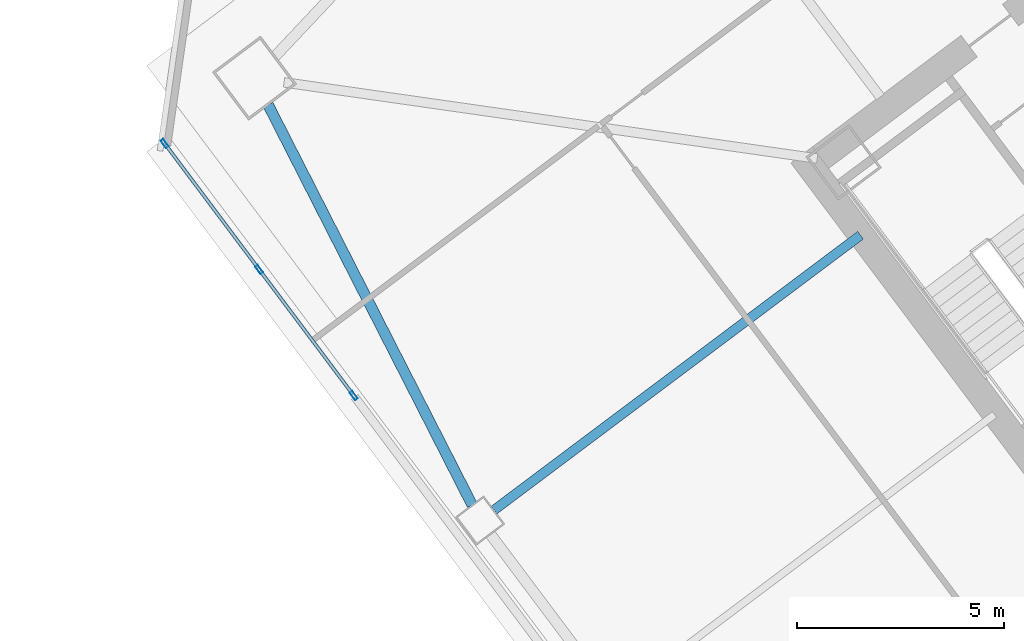
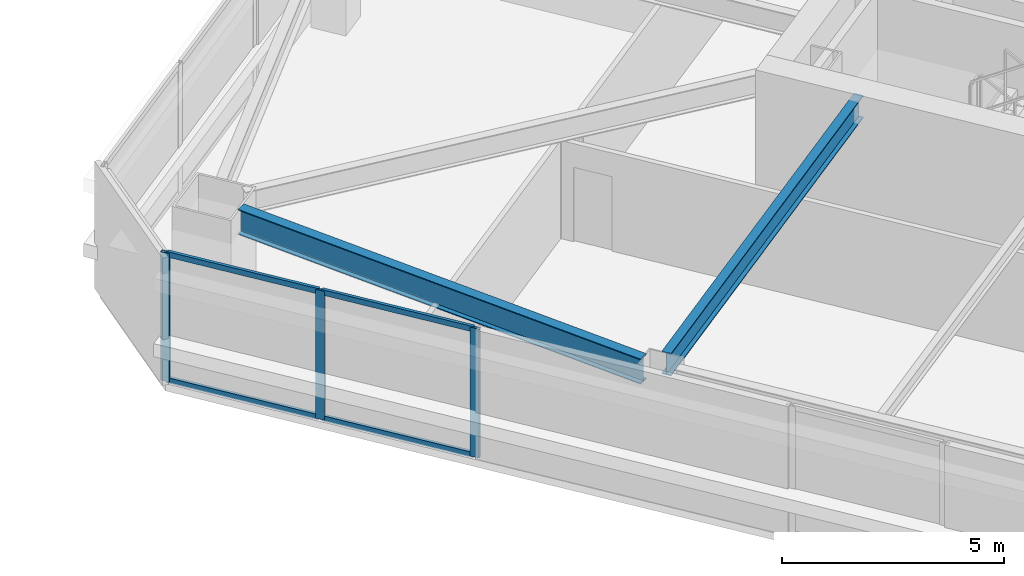
# One storey, part 19 of 44: 7 members, 2 beams, 1 element without a shape of its own.
"""IFC4 building model written with IfcOpenShell, lengths in metres."""

from ifc_helpers import new_model, si_unit, direction, frame, origin, origin_2d, place, context, subcontext, project, spatial, hollow_rectangle, i_section, extrude, material, material_profile, profile_set, type_object, element, aggregate, save


model = new_model("IFC4")

# Units and contexts
model_context = context("Model", 3, precision=1e-05, world=origin(), true_north=direction((0.0, 1.0)))
body_context = subcontext(model_context, "Body", "Model", "MODEL_VIEW")
ifc_project = project(units=[si_unit("LENGTHUNIT", "METRE"), si_unit("AREAUNIT", "SQUARE_METRE"), si_unit("VOLUMEUNIT", "CUBIC_METRE"), si_unit("PLANEANGLEUNIT", "RADIAN"), si_unit("MASSUNIT", "GRAM", prefix="KILO")], contexts=[model_context])

# Site, building, storey
site_placement = place(None, origin())
site = spatial("IfcSite", under=ifc_project, at=site_placement, CompositionType="ELEMENT")
building_placement = place(site_placement, origin())
building = spatial("IfcBuilding", under=site, at=building_placement, Name="Tashvorn Skyway Center", CompositionType="ELEMENT")
storey_placement = place(building_placement, frame((0.0, 0.0, 95.60009765625)))
storey = spatial("IfcBuildingStorey", under=building, at=storey_placement, Name="L25", CompositionType="ELEMENT", Elevation=95.60009765625)

# Beams
ifc_material_1 = material(Name="Steel ASTM A992 Grade 50", Category="steel")
ifc_material_profile_1 = material_profile(ifc_material_1, i_section(OverallWidth=0.22998046875, OverallDepth=0.616943359375, WebThickness=0.01318359375, FlangeThickness=0.022216796875, at=origin_2d()), Name="W24X94")
ifc_profile_set_1 = profile_set([ifc_material_profile_1], Name="Steel ASTM A992 Grade 50")
beam_type_1 = type_object("IfcBeamType", Name="BM-BEAM-W24X94", PredefinedType="BEAM", material=ifc_profile_set_1)
beam_1_placement = place(storey_placement, frame((95.696044921875, 25.02197265625, 3.04150390625), z_axis=(0.799989394625, 0.60001414024, 0.0), x_axis=(-0.60001414024, 0.799989394625, 0.0)))
element("IfcBeam", 1, at=beam_1_placement, inside=storey, type_object=beam_type_1, Name="Tower 2 L25 Primary Floor Girder FC-W1", PredefinedType="BEAM", context=body_context, shape_type="SweptSolid", body=[
    extrude(i_section(OverallWidth=0.22998046875, OverallDepth=0.616943359375, WebThickness=0.01318359375, FlangeThickness=0.022216796875, at=origin_2d()), origin(), (0.0, 0.0, 1.0), 11.050048828125),
])
ifc_material_profile_2 = material_profile(ifc_material_1, i_section(OverallWidth=0.256103515625, OverallDepth=0.693115234375, WebThickness=0.014404296875, FlangeThickness=0.023681640625, at=origin_2d()), Name="W27X114")
ifc_profile_set_2 = profile_set([ifc_material_profile_2], Name="Steel ASTM A992 Grade 50")
beam_type_2 = type_object("IfcBeamType", Name="BM-SPANDREL-W27X114", PredefinedType="SPANDREL", material=ifc_profile_set_2)
beam_2_placement = place(storey_placement, frame((90.2470703125, 34.798583984375, 3.00341796875), z_axis=(0.454210938961, -0.890894170442, 0.0), x_axis=(0.890894170442, 0.454210938961, 0.0)))
element("IfcBeam", 2, at=beam_2_placement, inside=storey, type_object=beam_type_2, Name="Tower 2 L25 Spandrel Beam 10", PredefinedType="SPANDREL", context=body_context, shape_type="SweptSolid", body=[
    extrude(i_section(OverallWidth=0.256103515625, OverallDepth=0.693115234375, WebThickness=0.014404296875, FlangeThickness=0.023681640625, at=origin_2d()), origin(), (0.0, 0.0, 1.0), 10.836669921875),
])

# Curtain wall, members
ifc_material_2 = material(Name="Thermally broken bronze-anodized aluminium 6063-T6", Category="aluminium")
curtain_wall_type = type_object("IfcCurtainWallType", Name="CW-CW-Z2", PredefinedType="NOTDEFINED", material=ifc_material_2)
curtain_wall_placement = place(storey_placement, origin())
curtain_wall = element("IfcCurtainWall", 3, at=curtain_wall_placement, inside=storey, type_object=curtain_wall_type, Name="Tower 2 L25 West Unitised Curtain Wall Glazing Group 3", PredefinedType="NOTDEFINED")
ifc_material_profile_3 = material_profile(ifc_material_2, hollow_rectangle(XDim=0.080078125, YDim=0.219970703125, WallThickness=0.0048828125, at=origin_2d()), Name="ALU-MULL-80x220")
ifc_profile_set_3 = profile_set([ifc_material_profile_3], Name="Thermally broken bronze-anodized aluminium 6063-T6")
member_type_1 = type_object("IfcMemberType", Name="CWM-CW-Z2", PredefinedType="MULLION", material=ifc_profile_set_3)
member_1_placement = place(storey_placement, frame((92.31201171875, 27.783935546875, 0.0), z_axis=(0.0, 0.0, 1.0), x_axis=(-0.799999999998, -0.600000000002, 0.0)))
member_1 = element("IfcMember", 4, at=member_1_placement, type_object=member_type_1, Name="CW-Z2 mullion 1", PredefinedType="MULLION", context=body_context, shape_type="SweptSolid", body=[
    extrude(hollow_rectangle(XDim=0.080078125, YDim=0.219970703125, WallThickness=0.0048828125, at=origin_2d()), origin(), (0.0, 0.0, 1.0), 3.5498046875),
])
member_2_placement = place(storey_placement, frame((90.031982421875, 30.823974609375, 0.0), z_axis=(0.0, 0.0, 1.0), x_axis=(-0.799999999998, -0.600000000002, 0.0)))
member_2 = element("IfcMember", 5, at=member_2_placement, type_object=member_type_1, Name="CW-Z2 mullion 2", PredefinedType="MULLION", context=body_context, shape_type="SweptSolid", body=[
    extrude(hollow_rectangle(XDim=0.080078125, YDim=0.219970703125, WallThickness=0.0048828125, at=origin_2d()), origin(), (0.0, 0.0, 1.0), 3.5498046875),
])
member_3_placement = place(storey_placement, frame((87.751953125, 33.864013671875, 0.0), z_axis=(0.0, 0.0, 1.0), x_axis=(-0.799999999998, -0.600000000002, 0.0)))
member_3 = element("IfcMember", 6, at=member_3_placement, type_object=member_type_1, Name="CW-Z2 mullion 3", PredefinedType="MULLION", context=body_context, shape_type="SweptSolid", body=[
    extrude(hollow_rectangle(XDim=0.080078125, YDim=0.219970703125, WallThickness=0.0048828125, at=origin_2d()), origin(), (0.0, 0.0, 1.0), 3.5498046875),
])
ifc_material_profile_4 = material_profile(ifc_material_2, hollow_rectangle(XDim=0.080078125, YDim=0.14990234375, WallThickness=0.00439453125, at=origin_2d()), Name="ALU-TRAN-80x150")
ifc_profile_set_4 = profile_set([ifc_material_profile_4], Name="Thermally broken bronze-anodized aluminium 6063-T6")
member_type_2 = type_object("IfcMemberType", Name="CWT-CW-Z2", PredefinedType="USERDEFINED", material=ifc_profile_set_4)
member_4_placement = place(storey_placement, frame((92.2880859375, 27.81591796875, 0.039794921875), z_axis=(-0.6000210002, 0.799984249419, 0.0), x_axis=(-0.799984249419, -0.6000210002, 0.0)))
member_4 = element("IfcMember", 7, at=member_4_placement, type_object=member_type_2, Name="CW-Z2 transom 1.1", ObjectType="TRANSOM", PredefinedType="USERDEFINED", context=body_context, shape_type="SweptSolid", body=[
    extrude(hollow_rectangle(XDim=0.080078125, YDim=0.14990234375, WallThickness=0.00439453125, at=origin_2d()), origin(), (0.0, 0.0, 1.0), 3.72021484375),
])
member_5_placement = place(storey_placement, frame((92.2880859375, 27.81591796875, 3.510009765625), z_axis=(-0.6000210002, 0.799984249419, 0.0), x_axis=(-0.799984249419, -0.6000210002, 0.0)))
member_5 = element("IfcMember", 8, at=member_5_placement, type_object=member_type_2, Name="CW-Z2 transom 1.2", ObjectType="TRANSOM", PredefinedType="USERDEFINED", context=body_context, shape_type="SweptSolid", body=[
    extrude(hollow_rectangle(XDim=0.080078125, YDim=0.14990234375, WallThickness=0.00439453125, at=origin_2d()), origin(), (0.0, 0.0, 1.0), 3.72021484375),
])
member_6_placement = place(storey_placement, frame((90.008056640625, 30.85595703125, 0.039794921875), z_axis=(-0.6000210002, 0.799984249419, 0.0), x_axis=(-0.799984249419, -0.6000210002, 0.0)))
member_6 = element("IfcMember", 9, at=member_6_placement, type_object=member_type_2, Name="CW-Z2 transom 2.1", ObjectType="TRANSOM", PredefinedType="USERDEFINED", context=body_context, shape_type="SweptSolid", body=[
    extrude(hollow_rectangle(XDim=0.080078125, YDim=0.14990234375, WallThickness=0.00439453125, at=origin_2d()), origin(), (0.0, 0.0, 1.0), 3.72021484375),
])
member_7_placement = place(storey_placement, frame((90.008056640625, 30.85595703125, 3.510009765625), z_axis=(-0.6000210002, 0.799984249419, 0.0), x_axis=(-0.799984249419, -0.6000210002, 0.0)))
member_7 = element("IfcMember", 10, at=member_7_placement, type_object=member_type_2, Name="CW-Z2 transom 2.2", ObjectType="TRANSOM", PredefinedType="USERDEFINED", context=body_context, shape_type="SweptSolid", body=[
    extrude(hollow_rectangle(XDim=0.080078125, YDim=0.14990234375, WallThickness=0.00439453125, at=origin_2d()), origin(), (0.0, 0.0, 1.0), 3.72021484375),
])
aggregate(curtain_wall, [member_1, member_2, member_3, member_4, member_5, member_6, member_7])

save(model, "model.ifc")
